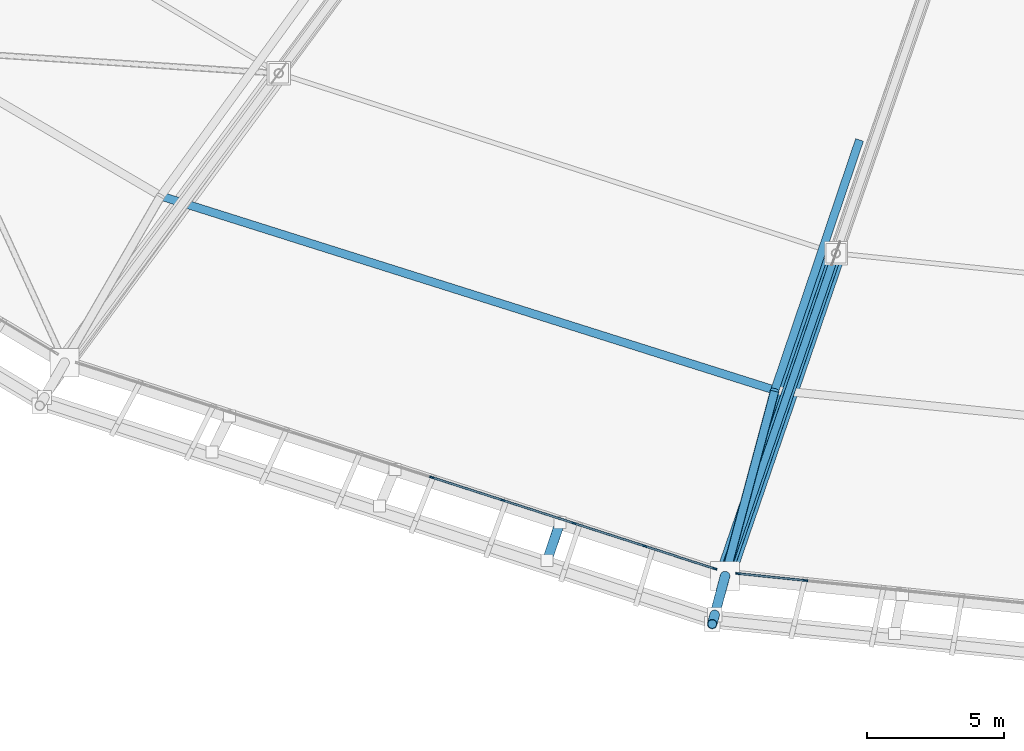
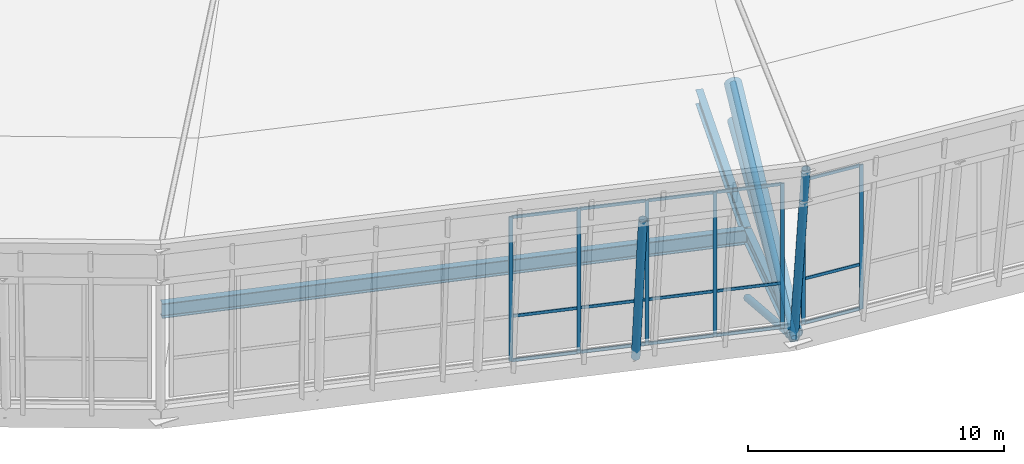
# One storey, part 12 of 115: 29 members, 3 beams, 2 elements without a shape of their own.
"""IFC4 building model written with IfcOpenShell, lengths in metres."""

from ifc_helpers import new_model, si_unit, direction, frame, origin, origin_2d, place, context, subcontext, project, spatial, rectangle, hollow_circle, i_section, extrude, material, material_profile, profile_set, type_object, element, aggregate, save


model = new_model("IFC4")

# Units and contexts
model_context = context("Model", 3, precision=1e-05, world=origin(), true_north=direction((0.0, 1.0)))
body_context = subcontext(model_context, "Body", "Model", "MODEL_VIEW")
ifc_project = project(units=[si_unit("LENGTHUNIT", "METRE"), si_unit("AREAUNIT", "SQUARE_METRE"), si_unit("VOLUMEUNIT", "CUBIC_METRE"), si_unit("PLANEANGLEUNIT", "RADIAN"), si_unit("MASSUNIT", "GRAM", prefix="KILO")], contexts=[model_context])

# Site, building, storey
site_placement = place(None, origin())
site = spatial("IfcSite", under=ifc_project, at=site_placement, CompositionType="ELEMENT")
building_placement = place(site_placement, origin())
building = spatial("IfcBuilding", under=site, at=building_placement, Name="Zlatoyarsky Gate Stadium", CompositionType="ELEMENT")
storey_placement = place(building_placement, frame((0.0, 0.0, 31.800048828125)))
storey = spatial("IfcBuildingStorey", under=building, at=storey_placement, Name="RF", CompositionType="ELEMENT", Elevation=31.800048828125)

# Curtain wall, members
ifc_material_1 = material(Name="Thermally broken anodised aluminium curtain wall", Category="aluminium")
curtain_wall_type = type_object("IfcCurtainWallType", Name="UNITISED SKYBOX RING GLAZING L05", PredefinedType="USERDEFINED", material=ifc_material_1)
curtain_wall_1_placement = place(storey_placement, origin())
curtain_wall_1 = element("IfcCurtainWall", 1, at=curtain_wall_1_placement, inside=storey, type_object=curtain_wall_type, Name="Curtain wall CW-RF-16", ObjectType="UNITISED GLAZING", PredefinedType="USERDEFINED")
ifc_material_2 = material(Name="Anodised aluminium 6063-T6", Category="aluminium")
ifc_material_profile_1 = material_profile(ifc_material_2, rectangle(XDim=0.06494140625, YDim=0.159912109375, at=origin_2d()), Name="ALU 65X160")
ifc_profile_set_1 = profile_set([ifc_material_profile_1], Name="Anodised aluminium 6063-T6")
member_type_1 = type_object("IfcMemberType", Name="ALUMINIUM MULLION 65X160", PredefinedType="MULLION", material=ifc_profile_set_1)
member_1_placement = place(storey_placement, frame((74.397705078125, 8.23828125, 0.0), z_axis=(0.0, 0.0, 1.0), x_axis=(0.307352182475, 0.951595836439, 0.0)))
member_1 = element("IfcMember", 2, at=member_1_placement, type_object=member_type_1, Name="CW-UG5 mullion 6", PredefinedType="MULLION", context=body_context, shape_type="SweptSolid", body=[
    extrude(rectangle(XDim=0.06494140625, YDim=0.159912109375, at=origin_2d()), origin(), (0.0, 0.0, 1.0), 6.89990234375),
])
member_2_placement = place(storey_placement, frame((76.989990234375, 7.401123046875, 0.0), z_axis=(0.0, 0.0, 1.0), x_axis=(0.307352182475, 0.951595836439, 0.0)))
member_2 = element("IfcMember", 3, at=member_2_placement, type_object=member_type_1, Name="CW-UG5 mullion 7", PredefinedType="MULLION", context=body_context, shape_type="SweptSolid", body=[
    extrude(rectangle(XDim=0.06494140625, YDim=0.159912109375, at=origin_2d()), origin(), (0.0, 0.0, 1.0), 6.89990234375),
])
member_3_placement = place(storey_placement, frame((79.582275390625, 6.563720703125, 0.0), z_axis=(0.0, 0.0, 1.0), x_axis=(0.307352182475, 0.951595836439, 0.0)))
member_3 = element("IfcMember", 4, at=member_3_placement, type_object=member_type_1, Name="CW-UG5 mullion 8", PredefinedType="MULLION", context=body_context, shape_type="SweptSolid", body=[
    extrude(rectangle(XDim=0.06494140625, YDim=0.159912109375, at=origin_2d()), origin(), (0.0, 0.0, 1.0), 6.89990234375),
])
member_4_placement = place(storey_placement, frame((82.17431640625, 5.7265625, 0.0), z_axis=(0.0, 0.0, 1.0), x_axis=(0.307352182475, 0.951595836439, 0.0)))
member_4 = element("IfcMember", 5, at=member_4_placement, type_object=member_type_1, Name="CW-UG5 mullion 9", PredefinedType="MULLION", context=body_context, shape_type="SweptSolid", body=[
    extrude(rectangle(XDim=0.06494140625, YDim=0.159912109375, at=origin_2d()), origin(), (0.0, 0.0, 1.0), 6.89990234375),
])
member_5_placement = place(storey_placement, frame((84.735595703125, 4.899169921875, 0.0), z_axis=(0.0, 0.0, 1.0), x_axis=(0.307352182475, 0.951595836439, 0.0)))
member_5 = element("IfcMember", 6, at=member_5_placement, type_object=member_type_1, Name="CW-UG5 mullion 10", PredefinedType="MULLION", context=body_context, shape_type="SweptSolid", body=[
    extrude(rectangle(XDim=0.06494140625, YDim=0.159912109375, at=origin_2d()), origin(), (0.0, 0.0, 1.0), 6.89990234375),
])

curtain_wall_2_placement = place(storey_placement, origin())
curtain_wall_2 = element("IfcCurtainWall", 7, at=curtain_wall_2_placement, inside=storey, type_object=curtain_wall_type, Name="Curtain wall CW-RF-17", ObjectType="UNITISED GLAZING", PredefinedType="USERDEFINED")
member_6_placement = place(storey_placement, frame((85.577392578125, 4.72216796875, 0.0), z_axis=(0.0, 0.0, 1.0), x_axis=(0.102125168703, 0.994771556649, 0.0)))
member_6 = element("IfcMember", 8, at=member_6_placement, type_object=member_type_1, Name="CW-UG5 mullion 1", PredefinedType="MULLION", context=body_context, shape_type="SweptSolid", body=[
    extrude(rectangle(XDim=0.06494140625, YDim=0.159912109375, at=origin_2d()), origin(), (0.0, 0.0, 1.0), 6.89990234375),
])
member_7_placement = place(storey_placement, frame((88.05078125, 4.46826171875, 0.0), z_axis=(0.0, 0.0, 1.0), x_axis=(0.102125168703, 0.994771556649, 0.0)))
member_7 = element("IfcMember", 9, at=member_7_placement, type_object=member_type_1, Name="CW-UG5 mullion 2", PredefinedType="MULLION", context=body_context, shape_type="SweptSolid", body=[
    extrude(rectangle(XDim=0.06494140625, YDim=0.159912109375, at=origin_2d()), origin(), (0.0, 0.0, 1.0), 6.89990234375),
])

# Member
ifc_material_profile_2 = material_profile(ifc_material_2, rectangle(XDim=0.06494140625, YDim=0.139892578125, at=origin_2d()), Name="ALU 65X140")
ifc_profile_set_2 = profile_set([ifc_material_profile_2], Name="Anodised aluminium 6063-T6")
member_type_2 = type_object("IfcMemberType", Name="ALUMINIUM TRANSOM 65X140", PredefinedType="USERDEFINED", material=ifc_profile_set_2)
member_8_placement = place(storey_placement, frame((74.4287109375, 8.228271484375, 0.032470703125), z_axis=(0.951607314646, -0.307316642428, 0.0), x_axis=(0.307316642428, 0.951607314646, 0.0)))
member_8 = element("IfcMember", 10, at=member_8_placement, type_object=member_type_2, Name="CW-UG5 transom 6.1", ObjectType="TRANSOM", PredefinedType="USERDEFINED", context=body_context, shape_type="SweptSolid", body=[
    extrude(rectangle(XDim=0.06494140625, YDim=0.139892578125, at=origin_2d()), origin(), (0.0, 0.0, 1.0), 2.658935546875),
])

member_9_placement = place(storey_placement, frame((74.4287109375, 8.228271484375, 2.14990234375), z_axis=(0.951607314646, -0.307316642428, 0.0), x_axis=(0.307316642428, 0.951607314646, 0.0)))
member_9 = element("IfcMember", 11, at=member_9_placement, type_object=member_type_2, Name="CW-UG5 transom 6.2", ObjectType="TRANSOM", PredefinedType="USERDEFINED", context=body_context, shape_type="SweptSolid", body=[
    extrude(rectangle(XDim=0.06494140625, YDim=0.139892578125, at=origin_2d()), origin(), (0.0, 0.0, 1.0), 2.658935546875),
])

member_10_placement = place(storey_placement, frame((74.4287109375, 8.228271484375, 6.867431640625), z_axis=(0.951607314646, -0.307316642428, 0.0), x_axis=(0.307316642428, 0.951607314646, 0.0)))
member_10 = element("IfcMember", 12, at=member_10_placement, type_object=member_type_2, Name="CW-UG5 transom 6.3", ObjectType="TRANSOM", PredefinedType="USERDEFINED", context=body_context, shape_type="SweptSolid", body=[
    extrude(rectangle(XDim=0.06494140625, YDim=0.139892578125, at=origin_2d()), origin(), (0.0, 0.0, 1.0), 2.658935546875),
])

member_11_placement = place(storey_placement, frame((77.02099609375, 7.39111328125, 0.032470703125), z_axis=(0.951580459921, -0.307399785779, 0.0), x_axis=(0.307399785779, 0.951580459921, 0.0)))
member_11 = element("IfcMember", 13, at=member_11_placement, type_object=member_type_2, Name="CW-UG5 transom 7.1", ObjectType="TRANSOM", PredefinedType="USERDEFINED", context=body_context, shape_type="SweptSolid", body=[
    extrude(rectangle(XDim=0.06494140625, YDim=0.139892578125, at=origin_2d()), origin(), (0.0, 0.0, 1.0), 2.658935546875),
])

member_12_placement = place(storey_placement, frame((77.02099609375, 7.39111328125, 2.14990234375), z_axis=(0.951580459921, -0.307399785779, 0.0), x_axis=(0.307399785779, 0.951580459921, 0.0)))
member_12 = element("IfcMember", 14, at=member_12_placement, type_object=member_type_2, Name="CW-UG5 transom 7.2", ObjectType="TRANSOM", PredefinedType="USERDEFINED", context=body_context, shape_type="SweptSolid", body=[
    extrude(rectangle(XDim=0.06494140625, YDim=0.139892578125, at=origin_2d()), origin(), (0.0, 0.0, 1.0), 2.658935546875),
])

member_13_placement = place(storey_placement, frame((77.02099609375, 7.39111328125, 6.867431640625), z_axis=(0.951580459921, -0.307399785779, 0.0), x_axis=(0.307399785779, 0.951580459921, 0.0)))
member_13 = element("IfcMember", 15, at=member_13_placement, type_object=member_type_2, Name="CW-UG5 transom 7.3", ObjectType="TRANSOM", PredefinedType="USERDEFINED", context=body_context, shape_type="SweptSolid", body=[
    extrude(rectangle(XDim=0.06494140625, YDim=0.139892578125, at=origin_2d()), origin(), (0.0, 0.0, 1.0), 2.658935546875),
])

member_14_placement = place(storey_placement, frame((79.613037109375, 6.5537109375, 0.032470703125), z_axis=(0.951615985175, -0.307289792801, 0.0), x_axis=(0.307289792801, 0.951615985175, 0.0)))
member_14 = element("IfcMember", 16, at=member_14_placement, type_object=member_type_2, Name="CW-UG5 transom 8.1", ObjectType="TRANSOM", PredefinedType="USERDEFINED", context=body_context, shape_type="SweptSolid", body=[
    extrude(rectangle(XDim=0.06494140625, YDim=0.139892578125, at=origin_2d()), origin(), (0.0, 0.0, 1.0), 2.6591796875),
])

member_15_placement = place(storey_placement, frame((79.613037109375, 6.5537109375, 2.14990234375), z_axis=(0.951615985175, -0.307289792801, 0.0), x_axis=(0.307289792801, 0.951615985175, 0.0)))
member_15 = element("IfcMember", 17, at=member_15_placement, type_object=member_type_2, Name="CW-UG5 transom 8.2", ObjectType="TRANSOM", PredefinedType="USERDEFINED", context=body_context, shape_type="SweptSolid", body=[
    extrude(rectangle(XDim=0.06494140625, YDim=0.139892578125, at=origin_2d()), origin(), (0.0, 0.0, 1.0), 2.6591796875),
])

member_16_placement = place(storey_placement, frame((79.613037109375, 6.5537109375, 6.867431640625), z_axis=(0.951615985175, -0.307289792801, 0.0), x_axis=(0.307289792801, 0.951615985175, 0.0)))
member_16 = element("IfcMember", 18, at=member_16_placement, type_object=member_type_2, Name="CW-UG5 transom 8.3", ObjectType="TRANSOM", PredefinedType="USERDEFINED", context=body_context, shape_type="SweptSolid", body=[
    extrude(rectangle(XDim=0.06494140625, YDim=0.139892578125, at=origin_2d()), origin(), (0.0, 0.0, 1.0), 2.6591796875),
])

member_17_placement = place(storey_placement, frame((82.205322265625, 5.716552734375, 0.032470703125), z_axis=(0.951588529008, -0.307374806157, 0.0), x_axis=(0.307374806157, 0.951588529008, 0.0)))
member_17 = element("IfcMember", 19, at=member_17_placement, type_object=member_type_2, Name="CW-UG5 transom 9.1", ObjectType="TRANSOM", PredefinedType="USERDEFINED", context=body_context, shape_type="SweptSolid", body=[
    extrude(rectangle(XDim=0.06494140625, YDim=0.139892578125, at=origin_2d()), origin(), (0.0, 0.0, 1.0), 2.626708984375),
])

member_18_placement = place(storey_placement, frame((82.205322265625, 5.716552734375, 2.14990234375), z_axis=(0.951588529008, -0.307374806157, 0.0), x_axis=(0.307374806157, 0.951588529008, 0.0)))
member_18 = element("IfcMember", 20, at=member_18_placement, type_object=member_type_2, Name="CW-UG5 transom 9.2", ObjectType="TRANSOM", PredefinedType="USERDEFINED", context=body_context, shape_type="SweptSolid", body=[
    extrude(rectangle(XDim=0.06494140625, YDim=0.139892578125, at=origin_2d()), origin(), (0.0, 0.0, 1.0), 2.626708984375),
])

member_19_placement = place(storey_placement, frame((82.205322265625, 5.716552734375, 6.867431640625), z_axis=(0.951588529008, -0.307374806157, 0.0), x_axis=(0.307374806157, 0.951588529008, 0.0)))
member_19 = element("IfcMember", 21, at=member_19_placement, type_object=member_type_2, Name="CW-UG5 transom 9.3", ObjectType="TRANSOM", PredefinedType="USERDEFINED", context=body_context, shape_type="SweptSolid", body=[
    extrude(rectangle(XDim=0.06494140625, YDim=0.139892578125, at=origin_2d()), origin(), (0.0, 0.0, 1.0), 2.626708984375),
])

aggregate(curtain_wall_1, [member_1, member_2, member_3, member_4, member_5, member_8, member_9, member_10, member_11, member_12, member_13, member_14, member_15, member_16, member_17, member_18, member_19])

member_20_placement = place(storey_placement, frame((85.60986328125, 4.718994140625, 0.032470703125), z_axis=(0.994770149226, -0.102138877069, 0.0), x_axis=(0.102138877069, 0.994770149226, 0.0)))
member_20 = element("IfcMember", 22, at=member_20_placement, type_object=member_type_2, Name="CW-UG5 transom 1.1", ObjectType="TRANSOM", PredefinedType="USERDEFINED", context=body_context, shape_type="SweptSolid", body=[
    extrude(rectangle(XDim=0.06494140625, YDim=0.139892578125, at=origin_2d()), origin(), (0.0, 0.0, 1.0), 2.42138671875),
])

member_21_placement = place(storey_placement, frame((85.60986328125, 4.718994140625, 2.14990234375), z_axis=(0.994770149226, -0.102138877069, 0.0), x_axis=(0.102138877069, 0.994770149226, 0.0)))
member_21 = element("IfcMember", 23, at=member_21_placement, type_object=member_type_2, Name="CW-UG5 transom 1.2", ObjectType="TRANSOM", PredefinedType="USERDEFINED", context=body_context, shape_type="SweptSolid", body=[
    extrude(rectangle(XDim=0.06494140625, YDim=0.139892578125, at=origin_2d()), origin(), (0.0, 0.0, 1.0), 2.42138671875),
])

member_22_placement = place(storey_placement, frame((85.60986328125, 4.718994140625, 6.867431640625), z_axis=(0.994770149226, -0.102138877069, 0.0), x_axis=(0.102138877069, 0.994770149226, 0.0)))
member_22 = element("IfcMember", 24, at=member_22_placement, type_object=member_type_2, Name="CW-UG5 transom 1.3", ObjectType="TRANSOM", PredefinedType="USERDEFINED", context=body_context, shape_type="SweptSolid", body=[
    extrude(rectangle(XDim=0.06494140625, YDim=0.139892578125, at=origin_2d()), origin(), (0.0, 0.0, 1.0), 2.42138671875),
])

aggregate(curtain_wall_2, [member_6, member_7, member_20, member_21, member_22])

# Members
ifc_material_3 = material(Name="Steel S355", Category="steel")
ifc_material_profile_3 = material_profile(ifc_material_3, hollow_circle(Radius=0.228515625, WallThickness=0.02490234375, at=origin_2d()), Name="CHS 457X25")
ifc_profile_set_3 = profile_set([ifc_material_profile_3], Name="Steel S355")
member_type_3 = type_object("IfcMemberType", Name="STEEL ARCH BOTTOM CHORD CHS 457X25", PredefinedType="CHORD", material=ifc_profile_set_3)
member_23_placement = place(storey_placement, frame((85.11083984375, 4.631103515625, -0.449951171875), z_axis=(0.321535505122, 0.936049276956, 0.142921901945), x_axis=(-0.945758462386, 0.324870637063, 0.0)))
element("IfcMember", 25, at=member_23_placement, inside=storey, type_object=member_type_3, Name="Radial truss R18 bottom chord 1", PredefinedType="CHORD", context=body_context, shape_type="SweptSolid", body=[
    extrude(hollow_circle(Radius=0.228515625, WallThickness=0.02490234375, at=origin_2d()), origin(), (0.0, 0.0, 1.0), 12.593017578125),
])
ifc_material_profile_4 = material_profile(ifc_material_3, hollow_circle(Radius=0.35546875, WallThickness=0.031982421875, at=origin_2d()), Name="CHS 711X32")
ifc_profile_set_4 = profile_set([ifc_material_profile_4], Name="Steel S355")
member_type_4 = type_object("IfcMemberType", Name="STEEL ARCH TOP CHORD CHS 711X32", PredefinedType="CHORD", material=ifc_profile_set_4)
member_24_placement = place(storey_placement, frame((85.11083984375, 4.631103515625, -0.25), z_axis=(0.313418799515, 0.912420046921, 0.263169743868), x_axis=(-0.945758462386, 0.324870637063, 0.0)))
element("IfcMember", 26, at=member_24_placement, inside=storey, type_object=member_type_4, Name="Radial truss R18 top chord 1", PredefinedType="CHORD", context=body_context, shape_type="SweptSolid", body=[
    extrude(hollow_circle(Radius=0.35546875, WallThickness=0.031982421875, at=origin_2d()), origin(), (0.0, 0.0, 1.0), 12.9189453125),
])
ifc_material_profile_5 = material_profile(ifc_material_3, hollow_circle(Radius=0.177734375, WallThickness=0.02001953125, at=origin_2d()), Name="CHS 355.6X20")
ifc_profile_set_5 = profile_set([ifc_material_profile_5], Name="Steel S355")
member_type_5 = type_object("IfcMemberType", Name="STEEL LEANING RIB RING STRUT CHS 355.6X20", PredefinedType="STRUT", material=ifc_profile_set_5)
member_25_placement = place(storey_placement, frame((79.079833984375, 6.579833984375, -0.449951171875), z_axis=(-0.060542035994, -0.178471233777, 0.982080791275), x_axis=(0.946995980131, -0.321245410265, 0.0)))
element("IfcMember", 27, at=member_25_placement, inside=storey, type_object=member_type_5, Name="Outward-leaning bowl louvre fin rib RF 16-3", PredefinedType="STRUT", context=body_context, shape_type="SweptSolid", body=[
    extrude(hollow_circle(Radius=0.177734375, WallThickness=0.02001953125, at=origin_2d()), origin(), (0.0, 0.0, 1.0), 7.738525390625),
])
member_26_placement = place(storey_placement, frame((85.11083984375, 4.631103515625, -0.449951171875), z_axis=(-0.049047187534, -0.183162069458, 0.981858457063), x_axis=(0.965966608807, -0.258666794678, 0.0)))
element("IfcMember", 28, at=member_26_placement, inside=storey, type_object=member_type_5, Name="Outward-leaning crown fascia lower post 17", PredefinedType="STRUT", context=body_context, shape_type="SweptSolid", body=[
    extrude(hollow_circle(Radius=0.177734375, WallThickness=0.02001953125, at=origin_2d()), origin(), (0.0, 0.0, 1.0), 7.740234375),
])
member_27_placement = place(storey_placement, frame((84.731201171875, 3.21337890625, 7.14990234375), z_axis=(-0.052053505922, -0.194145508575, 0.979590707398), x_axis=(0.965885549343, -0.258969313954, 0.0)))
element("IfcMember", 29, at=member_27_placement, inside=storey, type_object=member_type_5, Name="Outward-leaning crown fascia upper post 17", PredefinedType="STRUT", context=body_context, shape_type="SweptSolid", body=[
    extrude(hollow_circle(Radius=0.177734375, WallThickness=0.02001953125, at=origin_2d()), origin(), (0.0, 0.0, 1.0), 1.7353515625),
])

# Beams
ifc_material_profile_6 = material_profile(ifc_material_3, i_section(OverallWidth=0.300048828125, OverallDepth=0.699951171875, WebThickness=0.01708984375, FlangeThickness=0.031982421875, FilletRadius=0.027099609375, at=origin_2d()), Name="HEB 700")
ifc_profile_set_6 = profile_set([ifc_material_profile_6], Name="Steel S355")
beam_type = type_object("IfcBeamType", Name="STEEL ROOF RING GIRDER HEB 700", PredefinedType="BEAM", material=ifc_profile_set_6)
beam_1_placement = place(storey_placement, frame((64.5380859375, 18.5, -0.300048828125), z_axis=(0.953465026843, -0.301503636109, 0.0), x_axis=(0.301503636109, 0.953465026843, 0.0)))
element("IfcBeam", 30, at=beam_1_placement, inside=storey, type_object=beam_type, Name="RF roof tie girder BM-RF-CRC-16", PredefinedType="BEAM", context=body_context, shape_type="SweptSolid", body=[
    extrude(i_section(OverallWidth=0.300048828125, OverallDepth=0.699951171875, WebThickness=0.01708984375, FlangeThickness=0.031982421875, FilletRadius=0.027099609375, at=origin_2d()), origin(), (0.0, 0.0, 1.0), 23.444580078125),
])
beam_2_placement = place(storey_placement, frame((90.02294921875, 20.5576171875, -0.300048828125), z_axis=(-0.320615466182, -0.947209439799, 0.0), x_axis=(0.947209439799, -0.320615466182, 0.0)))
element("IfcBeam", 31, at=beam_2_placement, inside=storey, type_object=beam_type, Name="RF roof tie girder BM-RF-RBC-17", PredefinedType="BEAM", context=body_context, shape_type="SweptSolid", body=[
    extrude(i_section(OverallWidth=0.300048828125, OverallDepth=0.699951171875, WebThickness=0.01708984375, FlangeThickness=0.031982421875, FilletRadius=0.027099609375, at=origin_2d()), origin(), (0.0, 0.0, 1.0), 9.607421875),
])
beam_3_placement = place(storey_placement, frame((86.91943359375, 11.380615234375, -0.300048828125), z_axis=(-0.258795463889, -0.965932144548, 0.0), x_axis=(0.965932144548, -0.258795463889, 0.0)))
element("IfcBeam", 32, at=beam_3_placement, inside=storey, type_object=beam_type, Name="RF roof tie girder BM-RF-COUT-17", PredefinedType="BEAM", context=body_context, shape_type="SweptSolid", body=[
    extrude(i_section(OverallWidth=0.300048828125, OverallDepth=0.699951171875, WebThickness=0.01708984375, FlangeThickness=0.031982421875, FilletRadius=0.027099609375, at=origin_2d()), origin(), (0.0, 0.0, 1.0), 6.987548828125),
])

# Members
ifc_material_profile_7 = material_profile(ifc_material_3, hollow_circle(Radius=0.136474609375, WallThickness=0.01611328125, at=origin_2d()), Name="CHS 273X16")
ifc_profile_set_7 = profile_set([ifc_material_profile_7], Name="Steel S355")
member_type_6 = type_object("IfcMemberType", Name="STEEL ROOF TRUSS DIAGONAL CHS 273X16", PredefinedType="BRACE", material=ifc_profile_set_7)
member_28_placement = place(storey_placement, frame((85.11083984375, 4.631103515625, -0.449951171875), z_axis=(0.312112869428, 0.908618243095, 0.277485936673), x_axis=(-0.945758462386, 0.324870637063, 0.0)))
element("IfcMember", 33, at=member_28_placement, inside=storey, type_object=member_type_6, Name="Radial truss R18 web diagonal 1", PredefinedType="BRACE", context=body_context, shape_type="SweptSolid", body=[
    extrude(hollow_circle(Radius=0.136474609375, WallThickness=0.01611328125, at=origin_2d()), origin(), (0.0, 0.0, 1.0), 12.97314453125),
])
ifc_material_profile_8 = material_profile(ifc_material_3, hollow_circle(Radius=0.161865234375, WallThickness=0.01611328125, at=origin_2d()), Name="CHS 323.9X16")
ifc_profile_set_8 = profile_set([ifc_material_profile_8], Name="Steel S355")
member_type_7 = type_object("IfcMemberType", Name="STEEL TRUSS WEB STRUT CHS 323.9X16", PredefinedType="STRUT", material=ifc_profile_set_8)
member_29_placement = place(storey_placement, frame((86.9296875, 11.419189453125, -3.300048828125), z_axis=(-0.239842975893, -0.895113302245, 0.375829114171), x_axis=(0.965926341718, -0.258817121486, 0.0)))
element("IfcMember", 34, at=member_29_placement, inside=storey, type_object=member_type_7, Name="Arch heel prop 17", PredefinedType="STRUT", context=body_context, shape_type="SweptSolid", body=[
    extrude(hollow_circle(Radius=0.161865234375, WallThickness=0.01611328125, at=origin_2d()), origin(), (0.0, 0.0, 1.0), 7.58349609375),
])

save(model, "model.ifc")
